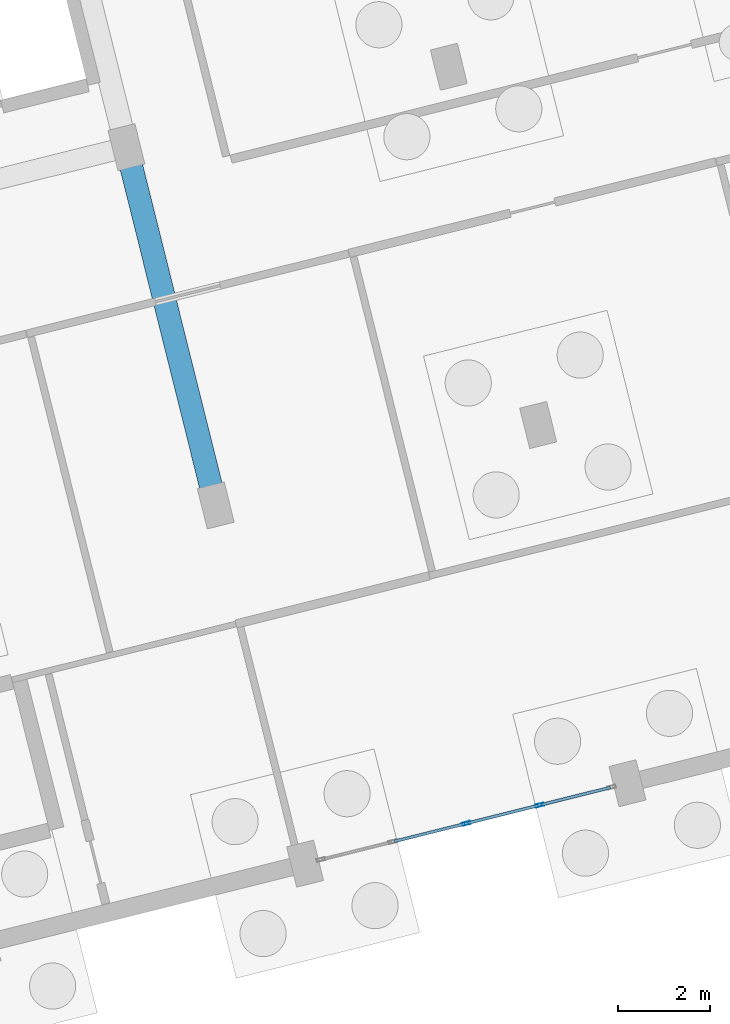
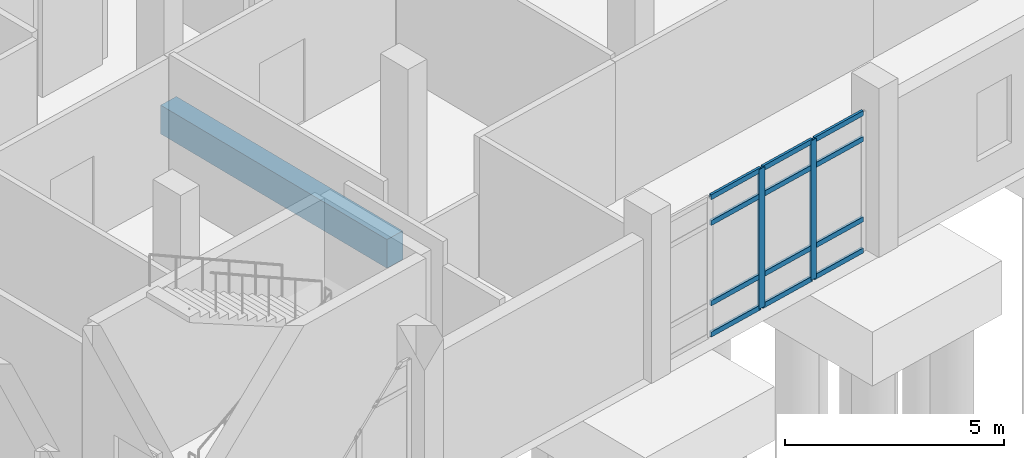
# One storey, part 92 of 173: 14 members, 1 beam, 1 element without a shape of its own.
"""IFC4 building model written with IfcOpenShell, lengths in metres."""

from ifc_helpers import new_model, si_unit, direction, frame, origin, origin_2d, place, context, subcontext, project, spatial, rectangle, hollow_rectangle, extrude, material, layer, layer_set, material_profile, profile_set, type_object, element, aggregate, save


model = new_model("IFC4")

# Units and contexts
model_context = context("Model", 3, precision=1e-05, world=origin(), true_north=direction((0.0, 1.0)))
body_context = subcontext(model_context, "Body", "Model", "MODEL_VIEW")
ifc_project = project(units=[si_unit("LENGTHUNIT", "METRE"), si_unit("AREAUNIT", "SQUARE_METRE"), si_unit("VOLUMEUNIT", "CUBIC_METRE"), si_unit("PLANEANGLEUNIT", "RADIAN"), si_unit("MASSUNIT", "GRAM", prefix="KILO")], contexts=[model_context])

# Site, building, storey
site_placement = place(None, origin())
site = spatial("IfcSite", under=ifc_project, at=site_placement, CompositionType="ELEMENT")
building_placement = place(site_placement, origin())
building = spatial("IfcBuilding", under=site, at=building_placement, Name="Mawjan Specialist Oncology Clinic", CompositionType="ELEMENT")
storey_placement = place(building_placement, origin())
storey = spatial("IfcBuildingStorey", under=building, at=storey_placement, Name="L00", CompositionType="ELEMENT", Elevation=0.0)

# Beam
ifc_material_1 = material(Name="Concrete C45/55", Category="concrete")
ifc_material_profile_1 = material_profile(ifc_material_1, rectangle(XDim=0.5, YDim=0.800048828125, at=origin_2d()), Name="RC BM 500x800", Category="concrete")
ifc_profile_set_1 = profile_set([ifc_material_profile_1], Name="Concrete C45/55")
beam_type = type_object("IfcBeamType", Name="BM-500x800", PredefinedType="BEAM", material=ifc_profile_set_1)
beam_placement = place(storey_placement, frame((137.968017578125, 12.322509765625, -0.820068359375), z_axis=(-0.241932539519, 0.970293072387, 0.0), x_axis=(-0.970293072387, -0.241932539519, 0.0)))
element("IfcBeam", 1, at=beam_placement, inside=storey, type_object=beam_type, Name="L00 Collector Beam BM-L00-0221", PredefinedType="BEAM", context=body_context, shape_type="SweptSolid", body=[
    extrude(rectangle(XDim=0.5, YDim=0.800048828125, at=origin_2d()), origin(), (0.0, 0.0, 1.0), 7.43017578125),
])

# Curtain wall, members
ifc_material_2 = material(Name="Unitised spectrally selective aluminium curtain wall", Category="aluminium")
ifc_layer = layer(ifc_material_2, 0.179931640625, Name="Unitised spectrally selective aluminium curtain wall", Category="aluminium")
ifc_layer_set = layer_set([ifc_layer], Name="Unitised spectrally selective aluminium curtain wall")
curtain_wall_type = type_object("IfcCurtainWallType", Name="CW-36", PredefinedType="NOTDEFINED", material=ifc_layer_set)
curtain_wall_placement = place(storey_placement, origin())
curtain_wall = element("IfcCurtainWall", 2, at=curtain_wall_placement, inside=storey, type_object=curtain_wall_type, Name="L00 Unitised Curtain Wall CW-L00-077", PredefinedType="NOTDEFINED")
ifc_material_3 = material(Name="Thermally broken aluminium 6063-T6", Category="aluminium")
ifc_material_profile_2 = material_profile(ifc_material_3, hollow_rectangle(XDim=0.06494140625, YDim=0.179931640625, WallThickness=0.00390625, at=origin_2d()), Name="ALU MULLION 180x65x4", Category="aluminium")
ifc_profile_set_2 = profile_set([ifc_material_profile_2], Name="Thermally broken aluminium 6063-T6")
member_type_1 = type_object("IfcMemberType", Name="CW-M180", PredefinedType="MULLION", material=ifc_profile_set_2)
member_1_placement = place(storey_placement, frame((145.056640625, 5.55126953125, 0.0), z_axis=(0.0, 0.0, 1.0), x_axis=(0.241921946692, -0.970295713537, 0.0)))
member_1 = element("IfcMember", 3, at=member_1_placement, type_object=member_type_1, Name="CW-36 mullion 2", PredefinedType="MULLION", context=body_context, shape_type="SweptSolid", body=[
    extrude(hollow_rectangle(XDim=0.06494140625, YDim=0.179931640625, WallThickness=0.00390625, at=origin_2d()), origin(), (0.0, 0.0, 1.0), 3.885009765625),
])
member_2_placement = place(storey_placement, frame((143.46533203125, 5.154541015625, 0.0), z_axis=(0.0, 0.0, 1.0), x_axis=(0.241921946692, -0.970295713537, 0.0)))
member_2 = element("IfcMember", 4, at=member_2_placement, type_object=member_type_1, Name="CW-36 mullion 3", PredefinedType="MULLION", context=body_context, shape_type="SweptSolid", body=[
    extrude(hollow_rectangle(XDim=0.06494140625, YDim=0.179931640625, WallThickness=0.00390625, at=origin_2d()), origin(), (0.0, 0.0, 1.0), 3.885009765625),
])
ifc_material_4 = material(Name="Thermally broken aluminium 6063-T6", Category="aluminium")
ifc_material_profile_3 = material_profile(ifc_material_4, hollow_rectangle(XDim=0.06494140625, YDim=0.139892578125, WallThickness=0.00390625, at=origin_2d()), Name="ALU TRANSOM 140x65x4", Category="aluminium")
ifc_profile_set_3 = profile_set([ifc_material_profile_3], Name="Thermally broken aluminium 6063-T6")
member_type_2 = type_object("IfcMemberType", Name="CW-T140", PredefinedType="USERDEFINED", material=ifc_profile_set_3)
member_3_placement = place(storey_placement, frame((146.584716796875, 5.932373046875, 0.032470703125), z_axis=(-0.970309868335, -0.241865167833, 0.0), x_axis=(0.241865167833, -0.970309868335, 0.0)))
member_3 = element("IfcMember", 5, at=member_3_placement, type_object=member_type_2, Name="CW-36 transom 1.1", ObjectType="TRANSOM", PredefinedType="USERDEFINED", context=body_context, shape_type="SweptSolid", body=[
    extrude(hollow_rectangle(XDim=0.06494140625, YDim=0.139892578125, WallThickness=0.00390625, at=origin_2d()), origin(), (0.0, 0.0, 1.0), 1.54248046875),
])
member_4_placement = place(storey_placement, frame((146.584716796875, 5.932373046875, 0.89990234375), z_axis=(-0.970309868335, -0.241865167833, 0.0), x_axis=(0.241865167833, -0.970309868335, 0.0)))
member_4 = element("IfcMember", 6, at=member_4_placement, type_object=member_type_2, Name="CW-36 transom 1.2", ObjectType="TRANSOM", PredefinedType="USERDEFINED", context=body_context, shape_type="SweptSolid", body=[
    extrude(hollow_rectangle(XDim=0.06494140625, YDim=0.139892578125, WallThickness=0.00390625, at=origin_2d()), origin(), (0.0, 0.0, 1.0), 1.54248046875),
])
member_5_placement = place(storey_placement, frame((146.584716796875, 5.932373046875, 3.135009765625), z_axis=(-0.970309868335, -0.241865167833, 0.0), x_axis=(0.241865167833, -0.970309868335, 0.0)))
member_5 = element("IfcMember", 7, at=member_5_placement, type_object=member_type_2, Name="CW-36 transom 1.3", ObjectType="TRANSOM", PredefinedType="USERDEFINED", context=body_context, shape_type="SweptSolid", body=[
    extrude(hollow_rectangle(XDim=0.06494140625, YDim=0.139892578125, WallThickness=0.00390625, at=origin_2d()), origin(), (0.0, 0.0, 1.0), 1.54248046875),
])
member_6_placement = place(storey_placement, frame((146.584716796875, 5.932373046875, 3.8525390625), z_axis=(-0.970309868335, -0.241865167833, 0.0), x_axis=(0.241865167833, -0.970309868335, 0.0)))
member_6 = element("IfcMember", 8, at=member_6_placement, type_object=member_type_2, Name="CW-36 transom 1.4", ObjectType="TRANSOM", PredefinedType="USERDEFINED", context=body_context, shape_type="SweptSolid", body=[
    extrude(hollow_rectangle(XDim=0.06494140625, YDim=0.139892578125, WallThickness=0.00390625, at=origin_2d()), origin(), (0.0, 0.0, 1.0), 1.54248046875),
])
member_7_placement = place(storey_placement, frame((145.025146484375, 5.54345703125, 0.032470703125), z_axis=(-0.970288205236, -0.241952058846, 0.0), x_axis=(0.241952058846, -0.970288205236, 0.0)))
member_7 = element("IfcMember", 9, at=member_7_placement, type_object=member_type_2, Name="CW-36 transom 2.1", ObjectType="TRANSOM", PredefinedType="USERDEFINED", context=body_context, shape_type="SweptSolid", body=[
    extrude(hollow_rectangle(XDim=0.06494140625, YDim=0.139892578125, WallThickness=0.00390625, at=origin_2d()), origin(), (0.0, 0.0, 1.0), 1.5751953125),
])
member_8_placement = place(storey_placement, frame((145.025146484375, 5.54345703125, 0.89990234375), z_axis=(-0.970288205236, -0.241952058846, 0.0), x_axis=(0.241952058846, -0.970288205236, 0.0)))
member_8 = element("IfcMember", 10, at=member_8_placement, type_object=member_type_2, Name="CW-36 transom 2.2", ObjectType="TRANSOM", PredefinedType="USERDEFINED", context=body_context, shape_type="SweptSolid", body=[
    extrude(hollow_rectangle(XDim=0.06494140625, YDim=0.139892578125, WallThickness=0.00390625, at=origin_2d()), origin(), (0.0, 0.0, 1.0), 1.5751953125),
])
member_9_placement = place(storey_placement, frame((145.025146484375, 5.54345703125, 3.135009765625), z_axis=(-0.970288205236, -0.241952058846, 0.0), x_axis=(0.241952058846, -0.970288205236, 0.0)))
member_9 = element("IfcMember", 11, at=member_9_placement, type_object=member_type_2, Name="CW-36 transom 2.3", ObjectType="TRANSOM", PredefinedType="USERDEFINED", context=body_context, shape_type="SweptSolid", body=[
    extrude(hollow_rectangle(XDim=0.06494140625, YDim=0.139892578125, WallThickness=0.00390625, at=origin_2d()), origin(), (0.0, 0.0, 1.0), 1.5751953125),
])
member_10_placement = place(storey_placement, frame((145.025146484375, 5.54345703125, 3.8525390625), z_axis=(-0.970288205236, -0.241952058846, 0.0), x_axis=(0.241952058846, -0.970288205236, 0.0)))
member_10 = element("IfcMember", 12, at=member_10_placement, type_object=member_type_2, Name="CW-36 transom 2.4", ObjectType="TRANSOM", PredefinedType="USERDEFINED", context=body_context, shape_type="SweptSolid", body=[
    extrude(hollow_rectangle(XDim=0.06494140625, YDim=0.139892578125, WallThickness=0.00390625, at=origin_2d()), origin(), (0.0, 0.0, 1.0), 1.5751953125),
])
member_11_placement = place(storey_placement, frame((143.433837890625, 5.146728515625, 0.032470703125), z_axis=(-0.970288205236, -0.241952058846, 0.0), x_axis=(0.241952058846, -0.970288205236, 0.0)))
member_11 = element("IfcMember", 13, at=member_11_placement, type_object=member_type_2, Name="CW-36 transom 3.1", ObjectType="TRANSOM", PredefinedType="USERDEFINED", context=body_context, shape_type="SweptSolid", body=[
    extrude(hollow_rectangle(XDim=0.06494140625, YDim=0.139892578125, WallThickness=0.00390625, at=origin_2d()), origin(), (0.0, 0.0, 1.0), 1.5751953125),
])
member_12_placement = place(storey_placement, frame((143.433837890625, 5.146728515625, 0.89990234375), z_axis=(-0.970288205236, -0.241952058846, 0.0), x_axis=(0.241952058846, -0.970288205236, 0.0)))
member_12 = element("IfcMember", 14, at=member_12_placement, type_object=member_type_2, Name="CW-36 transom 3.2", ObjectType="TRANSOM", PredefinedType="USERDEFINED", context=body_context, shape_type="SweptSolid", body=[
    extrude(hollow_rectangle(XDim=0.06494140625, YDim=0.139892578125, WallThickness=0.00390625, at=origin_2d()), origin(), (0.0, 0.0, 1.0), 1.5751953125),
])
member_13_placement = place(storey_placement, frame((143.433837890625, 5.146728515625, 3.135009765625), z_axis=(-0.970288205236, -0.241952058846, 0.0), x_axis=(0.241952058846, -0.970288205236, 0.0)))
member_13 = element("IfcMember", 15, at=member_13_placement, type_object=member_type_2, Name="CW-36 transom 3.3", ObjectType="TRANSOM", PredefinedType="USERDEFINED", context=body_context, shape_type="SweptSolid", body=[
    extrude(hollow_rectangle(XDim=0.06494140625, YDim=0.139892578125, WallThickness=0.00390625, at=origin_2d()), origin(), (0.0, 0.0, 1.0), 1.5751953125),
])
member_14_placement = place(storey_placement, frame((143.433837890625, 5.146728515625, 3.8525390625), z_axis=(-0.970288205236, -0.241952058846, 0.0), x_axis=(0.241952058846, -0.970288205236, 0.0)))
member_14 = element("IfcMember", 16, at=member_14_placement, type_object=member_type_2, Name="CW-36 transom 3.4", ObjectType="TRANSOM", PredefinedType="USERDEFINED", context=body_context, shape_type="SweptSolid", body=[
    extrude(hollow_rectangle(XDim=0.06494140625, YDim=0.139892578125, WallThickness=0.00390625, at=origin_2d()), origin(), (0.0, 0.0, 1.0), 1.5751953125),
])
aggregate(curtain_wall, [member_1, member_2, member_3, member_4, member_5, member_6, member_7, member_8, member_9, member_10, member_11, member_12, member_13, member_14])

save(model, "model.ifc")
